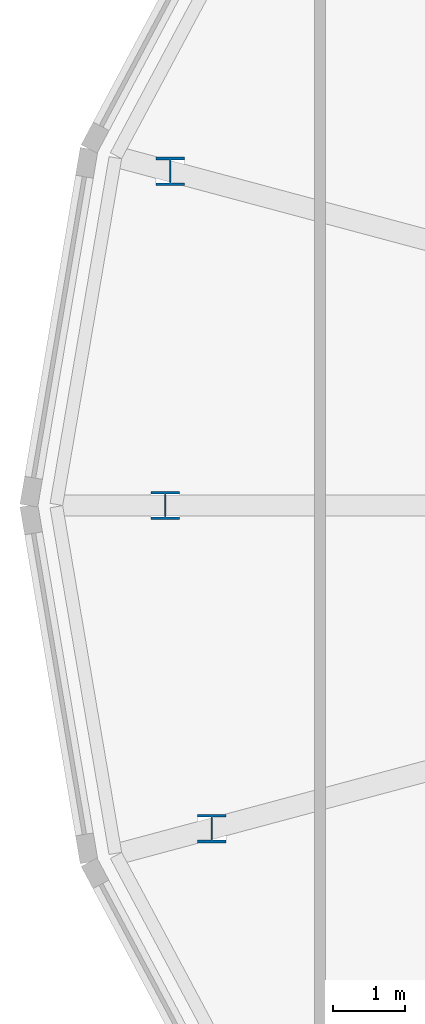
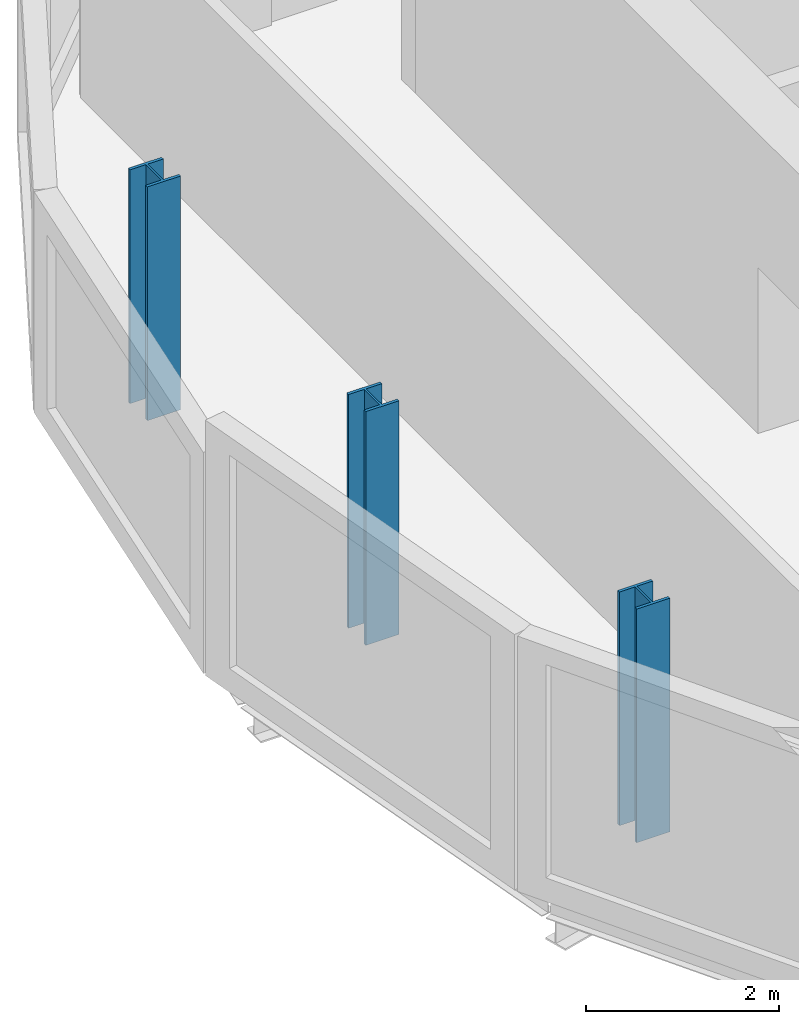
# One storey, part 1 of 36: 3 columns.
"""IFC4 building model written with IfcOpenShell, lengths in metres."""

import ifcopenshell
import ifcopenshell.guid

model = None  # the IFC model being written
_history = None  # IfcOwnerHistory: only IFC2X3 demands one
_inside = {}  # id of a spatial element -> (the spatial element, [elements in it])
_under = {}  # id of a project, library or spatial element -> (it, [spatial elements below it])
_declared = {}  # id of a project -> (the project, [libraries it declares])
_typed = {}  # id of a type object -> (the type object, [elements of that type])
_made_of = {}  # id of a material, layer set ... -> (it, [elements and type objects made of it])


def new_model(schema):
    """Start an empty IFC model of exactly this schema.

    Asked for "IFC4X3", IfcOpenShell would pick the latest addendum, in which some entities
    have other attributes; the version numbers below select the first issue.
    IFC2X3 requires an IfcOwnerHistory on every rooted entity: one is made here for all.
    """
    global model, _history
    if schema == "IFC4X3":
        model = ifcopenshell.file(schema_version=(4, 3, 0, 0))
    else:
        model = ifcopenshell.file(schema=schema)
    _inside.clear()
    _under.clear()
    _declared.clear()
    _typed.clear()
    _made_of.clear()
    _history = None
    if model.schema == "IFC2X3":
        org = make("IfcOrganization", Name="unknown")
        user = make(
            "IfcPersonAndOrganization",
            ThePerson=make("IfcPerson", FamilyName="unknown"),
            TheOrganization=org,
        )
        app = make(
            "IfcApplication",
            ApplicationDeveloper=org,
            Version="unknown",
            ApplicationFullName="unknown",
            ApplicationIdentifier="unknown",
        )
        _history = make(
            "IfcOwnerHistory",
            OwningUser=user,
            OwningApplication=app,
            ChangeAction="ADDED",
            CreationDate=0,
        )
    return model


def make(cls, **values):
    """One entity of the class cls with the attributes given. An attribute that is None is left unset."""
    return model.create_entity(
        cls, **{name: value for name, value in values.items() if value is not None}
    )


def rooted(cls, **values):
    """An entity with a GlobalId (a new one), such as an element, a storey or a relation."""
    return make(cls, GlobalId=ifcopenshell.guid.new(), OwnerHistory=_history, **values)


def si_unit(unit_type, name, prefix=None):
    """IfcSIUnit, for example si_unit("LENGTHUNIT", "METRE", prefix="MILLI")."""
    return make("IfcSIUnit", UnitType=unit_type, Prefix=prefix, Name=name)


def assignment(units):
    """IfcUnitAssignment: the units of a project."""
    return None if units is None else make("IfcUnitAssignment", Units=units)


def point(xyz):
    """IfcCartesianPoint."""
    return None if xyz is None else make("IfcCartesianPoint", Coordinates=xyz)


def direction(xyz):
    """IfcDirection."""
    return None if xyz is None else make("IfcDirection", DirectionRatios=xyz)


def frame(location, z_axis=None, x_axis=None):
    """IfcAxis2Placement3D, a coordinate frame: its origin and axes. An axis left out is left unset."""
    return make(
        "IfcAxis2Placement3D",
        Location=point(location),
        Axis=direction(z_axis),
        RefDirection=direction(x_axis),
    )


def frame_2d(location, x_axis=None):
    """IfcAxis2Placement2D, a coordinate frame in the plane: its origin and x axis."""
    return make(
        "IfcAxis2Placement2D", Location=point(location), RefDirection=direction(x_axis)
    )


def origin():
    """The frame at (0, 0, 0) with its axes left unset."""
    return frame((0.0, 0.0, 0.0))


def origin_2d():
    """The frame at (0, 0) in the plane with its x axis left unset."""
    return frame_2d((0.0, 0.0))


def place(relative_to, where):
    """IfcLocalPlacement: puts the frame where relative to a parent placement (None: the world)."""
    return make(
        "IfcLocalPlacement", PlacementRelTo=relative_to, RelativePlacement=where
    )


def context(
    kind, dimensions, precision=None, world=None, true_north=None, identifier=None
):
    """IfcGeometricRepresentationContext, for example the 3D "Model" context."""
    return make(
        "IfcGeometricRepresentationContext",
        ContextIdentifier=identifier,
        ContextType=kind,
        CoordinateSpaceDimension=dimensions,
        Precision=precision,
        WorldCoordinateSystem=world,
        TrueNorth=true_north,
    )


def subcontext(parent, identifier, kind, view, scale=None):
    """IfcGeometricRepresentationSubContext, for example "Body" below "Model"."""
    return make(
        "IfcGeometricRepresentationSubContext",
        ContextIdentifier=identifier,
        ContextType=kind,
        ParentContext=parent,
        TargetScale=scale,
        TargetView=view,
    )


def project(units=None, contexts=None):
    """IfcProject with its units and contexts."""
    return rooted(
        "IfcProject",
        Name="project",
        RepresentationContexts=contexts,
        UnitsInContext=assignment(units),
    )


def spatial(cls, under=None, at=None, **own):
    """A site, building, storey or space (cls), placed at a placement, below another one or the project."""
    s = rooted(cls, ObjectPlacement=at, **own)
    if under is not None:
        _under.setdefault(under.id(), (under, []))[1].append(s)
    return s


def profile(cls, at=None, kind="AREA", **sizes):
    """A parametric profile (cls). Its sizes go by their IFC names, for example OverallWidth=200.0."""
    return make(cls, ProfileType=kind, Position=at, **sizes)


def i_section(**sizes):
    """IfcIShapeProfileDef."""
    return profile("IfcIShapeProfileDef", **sizes)


def extrude(swept, where, along, depth):
    """IfcExtrudedAreaSolid: the profile swept, set in the frame where, extruded along a direction by depth."""
    return make(
        "IfcExtrudedAreaSolid",
        SweptArea=swept,
        Position=where,
        ExtrudedDirection=direction(along),
        Depth=depth,
    )


def shape(context_of_items, identifier, shape_type, items):
    """IfcShapeRepresentation: the items that make up one representation, for example the "Body"."""
    return make(
        "IfcShapeRepresentation",
        ContextOfItems=context_of_items,
        RepresentationIdentifier=identifier,
        RepresentationType=shape_type,
        Items=items,
    )


def material(Name=None, Category=None):
    """IfcMaterial."""
    return make("IfcMaterial", Name=Name, Category=Category)


def material_profile(
    of_material, cross_section, Name=None, Category=None, Priority=None
):
    """IfcMaterialProfile: a cross section and its material."""
    return make(
        "IfcMaterialProfile",
        Name=Name,
        Material=of_material,
        Profile=cross_section,
        Priority=Priority,
        Category=Category,
    )


def profile_set(profiles, Name=None, composite=None):
    """IfcMaterialProfileSet."""
    return make(
        "IfcMaterialProfileSet",
        Name=Name,
        MaterialProfiles=profiles,
        CompositeProfile=composite,
    )


def made_of(thing, what):
    """Note that an element or type object is made of a material, layer set ...; save() writes the relation."""
    if what is not None:
        _made_of.setdefault(what.id(), (what, []))[1].append(thing)
    return thing


def type_object(cls, material=None, **own):
    """A type object (cls), such as IfcWallType, which elements share."""
    return made_of(rooted(cls, **own), material)


def element(
    cls,
    number,
    at=None,
    inside=None,
    cuts=None,
    type_object=None,
    material=None,
    context=None,
    identifier="Body",
    shape_type=None,
    held_by="IfcProductDefinitionShape",
    body=None,
    shapes=None,
    **own,
):
    """One element of the class cls, such as IfcWall. Its Tag is "e" and its number.

    at: its placement. inside: the storey or other place that contains it. cuts: it is an
    opening in that element (IfcRelVoidsElement). A single representation is given by context,
    identifier, shape_type and body (its items); several are given by shapes. held_by: the class
    of the entity that holds the representations. save() writes the other relations.
    """
    e = rooted(cls, Tag="e%d" % number, ObjectPlacement=at, **own)
    if body is not None:
        shapes = [shape(context, identifier, shape_type, body)]
    if shapes is not None:
        e.Representation = make(held_by, Representations=shapes)
    if inside is not None:
        _inside.setdefault(inside.id(), (inside, []))[1].append(e)
    if cuts is not None:
        rooted(
            "IfcRelVoidsElement", RelatingBuildingElement=cuts, RelatedOpeningElement=e
        )
    if type_object is not None:
        _typed.setdefault(type_object.id(), (type_object, []))[1].append(e)
    return made_of(e, material)


def aggregate(whole, parts):
    """IfcRelAggregates: a whole, such as a stair, and the parts it consists of."""
    return rooted("IfcRelAggregates", RelatingObject=whole, RelatedObjects=parts)


def save(model, path):
    """Write the relations noted so far, then the file.

    IfcRelAggregates (storeys below a building ...), IfcRelContainedInSpatialStructure (elements
    in a storey), IfcRelDefinesByType, IfcRelAssociatesMaterial and IfcRelDeclares: one each for
    every whole, place, type object, material and project.
    """
    for whole, parts in _under.values():
        aggregate(whole, parts)
    for where, things in _inside.values():
        rooted(
            "IfcRelContainedInSpatialStructure",
            RelatedElements=things,
            RelatingStructure=where,
        )
    for kind, things in _typed.values():
        rooted("IfcRelDefinesByType", RelatedObjects=things, RelatingType=kind)
    for what, things in _made_of.values():
        rooted("IfcRelAssociatesMaterial", RelatedObjects=things, RelatingMaterial=what)
    for by, libraries in _declared.values():
        rooted("IfcRelDeclares", RelatingContext=by, RelatedDefinitions=libraries)
    model.write(path)


model = new_model("IFC4")

# Units and contexts
model_context = context("Model", 3, precision=1e-05, world=origin(), true_north=direction((0.0, 1.0)))
body_context = subcontext(model_context, "Body", "Model", "MODEL_VIEW")
ifc_project = project(units=[si_unit("LENGTHUNIT", "METRE"), si_unit("AREAUNIT", "SQUARE_METRE"), si_unit("VOLUMEUNIT", "CUBIC_METRE"), si_unit("PLANEANGLEUNIT", "RADIAN"), si_unit("MASSUNIT", "GRAM", prefix="KILO")], contexts=[model_context])

# Site, building, storey
site_placement = place(None, origin())
site = spatial("IfcSite", under=ifc_project, at=site_placement, CompositionType="ELEMENT")
building_placement = place(site_placement, origin())
building = spatial("IfcBuilding", under=site, at=building_placement, Name="Rimbun Link Towers", CompositionType="ELEMENT")
storey_placement = place(building_placement, frame((0.0, 0.0, 189.300048828125)))
storey = spatial("IfcBuildingStorey", under=building, at=storey_placement, Name="L46", CompositionType="ELEMENT", Elevation=189.300048828125)

# Columns
ifc_material = material(Name="Steel S355J2", Category="steel")
ifc_material_profile = material_profile(ifc_material, i_section(OverallWidth=0.39892578125, OverallDepth=0.3935546875, WebThickness=0.022705078125, FlangeThickness=0.03662109375, at=origin_2d()), Name="UC 356x406x287")
ifc_profile_set = profile_set([ifc_material_profile], Name="Steel S355J2")
column_type = type_object("IfcColumnType", Name="UC 356x406x287", PredefinedType="COLUMN", material=ifc_profile_set)
for number, where, z_axis, x_axis, name in (
    (1, (-49.112060546875, 4.652099609375, -0.150146484375), (0.0, 0.0, 1.0), (1.0, 0.0, 0.0), "Crease post T1 L46 11"),
    (2, (-49.180908203125, 0.0, -0.150146484375), (0.0, 0.0, 1.0), (1.0, 0.0, 0.0), "Crease post T1 L46 12"),
    (3, (-48.532958984375, -4.4970703125, -0.150146484375), (0.0, 0.0, 1.0), (1.0, 0.0, 0.0), "Crease post T1 L46 13"),
):
    element("IfcColumn", number, at=place(storey_placement, frame(where, z_axis=z_axis, x_axis=x_axis)), inside=storey, type_object=column_type, Name=name, PredefinedType="COLUMN", context=body_context, shape_type="SweptSolid", body=[
        extrude(i_section(OverallWidth=0.39892578125, OverallDepth=0.3935546875, WebThickness=0.022705078125, FlangeThickness=0.03662109375, at=origin_2d()), origin(), (0.0, 0.0, 1.0), 2.95947265625),
    ])

save(model, "model.ifc")
